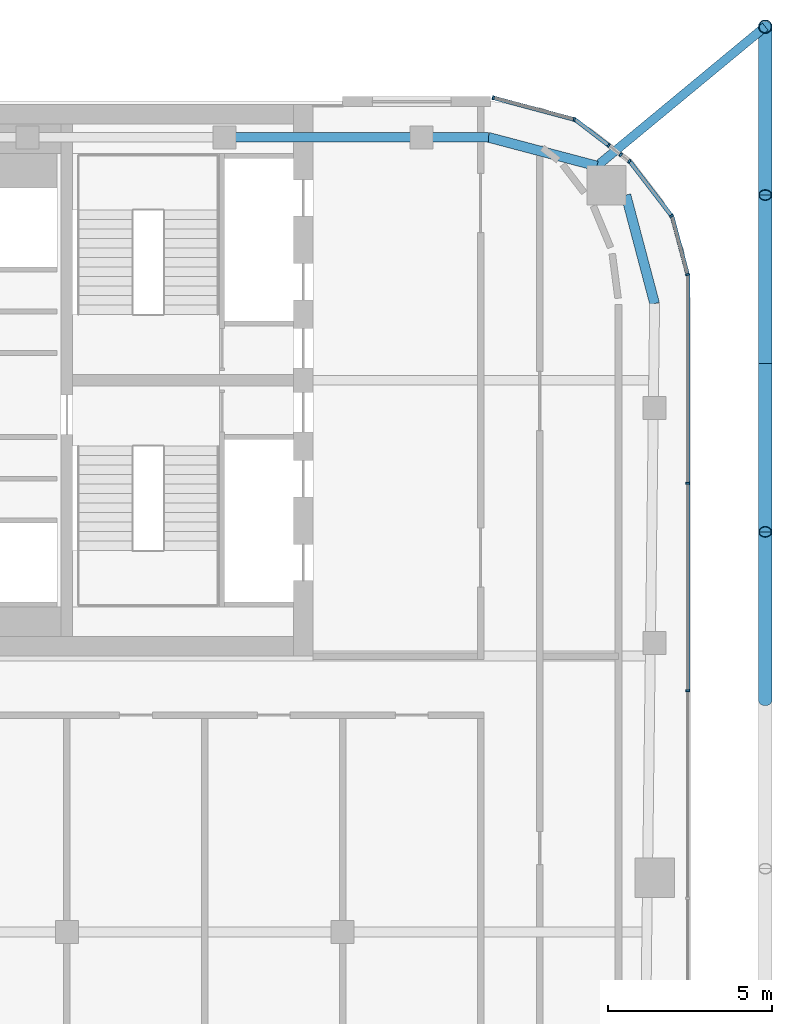
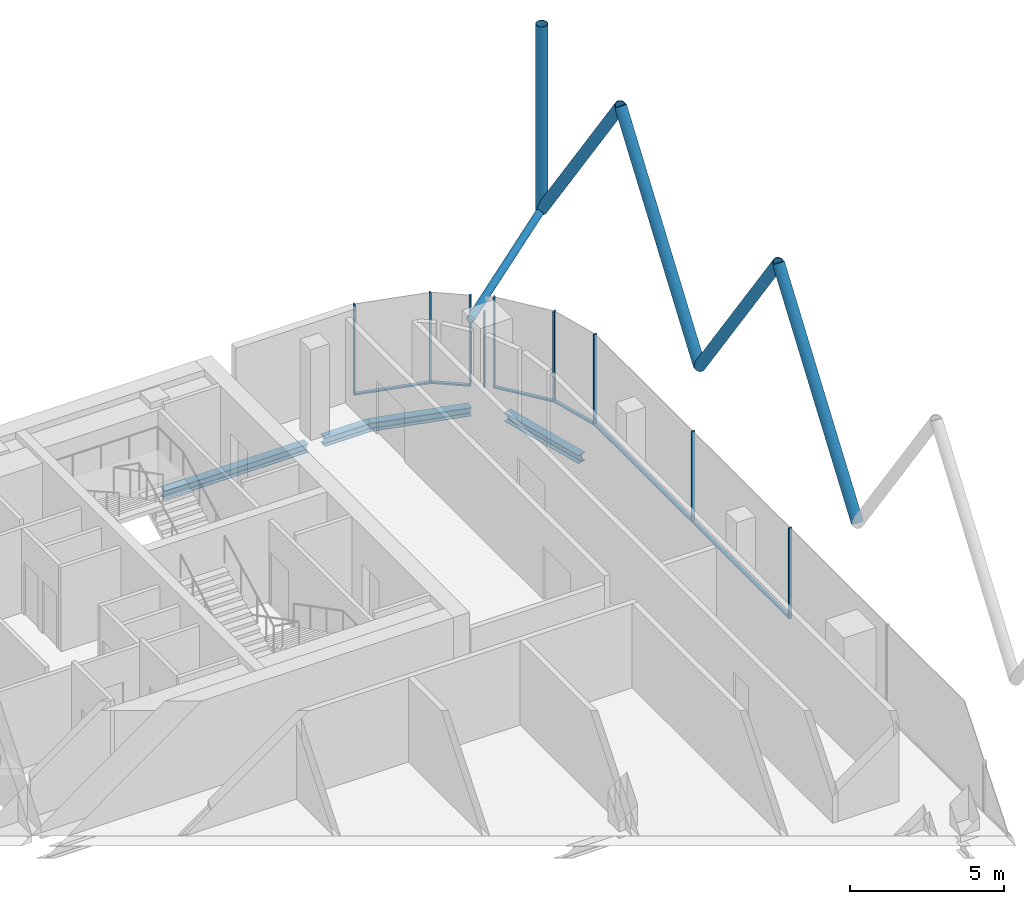
# One storey, part 12 of 27: 21 members, 4 beams, 7 elements without a shape of their own.
"""IFC4 building model written with IfcOpenShell, lengths in metres."""

import ifcopenshell
import ifcopenshell.guid

model = None  # the IFC model being written
_history = None  # IfcOwnerHistory: only IFC2X3 demands one
_inside = {}  # id of a spatial element -> (the spatial element, [elements in it])
_under = {}  # id of a project, library or spatial element -> (it, [spatial elements below it])
_declared = {}  # id of a project -> (the project, [libraries it declares])
_typed = {}  # id of a type object -> (the type object, [elements of that type])
_made_of = {}  # id of a material, layer set ... -> (it, [elements and type objects made of it])


def new_model(schema):
    """Start an empty IFC model of exactly this schema.

    Asked for "IFC4X3", IfcOpenShell would pick the latest addendum, in which some entities
    have other attributes; the version numbers below select the first issue.
    IFC2X3 requires an IfcOwnerHistory on every rooted entity: one is made here for all.
    """
    global model, _history
    if schema == "IFC4X3":
        model = ifcopenshell.file(schema_version=(4, 3, 0, 0))
    else:
        model = ifcopenshell.file(schema=schema)
    _inside.clear()
    _under.clear()
    _declared.clear()
    _typed.clear()
    _made_of.clear()
    _history = None
    if model.schema == "IFC2X3":
        org = make("IfcOrganization", Name="unknown")
        user = make(
            "IfcPersonAndOrganization",
            ThePerson=make("IfcPerson", FamilyName="unknown"),
            TheOrganization=org,
        )
        app = make(
            "IfcApplication",
            ApplicationDeveloper=org,
            Version="unknown",
            ApplicationFullName="unknown",
            ApplicationIdentifier="unknown",
        )
        _history = make(
            "IfcOwnerHistory",
            OwningUser=user,
            OwningApplication=app,
            ChangeAction="ADDED",
            CreationDate=0,
        )
    return model


def make(cls, **values):
    """One entity of the class cls with the attributes given. An attribute that is None is left unset."""
    return model.create_entity(
        cls, **{name: value for name, value in values.items() if value is not None}
    )


def rooted(cls, **values):
    """An entity with a GlobalId (a new one), such as an element, a storey or a relation."""
    return make(cls, GlobalId=ifcopenshell.guid.new(), OwnerHistory=_history, **values)


def si_unit(unit_type, name, prefix=None):
    """IfcSIUnit, for example si_unit("LENGTHUNIT", "METRE", prefix="MILLI")."""
    return make("IfcSIUnit", UnitType=unit_type, Prefix=prefix, Name=name)


def assignment(units):
    """IfcUnitAssignment: the units of a project."""
    return None if units is None else make("IfcUnitAssignment", Units=units)


def point(xyz):
    """IfcCartesianPoint."""
    return None if xyz is None else make("IfcCartesianPoint", Coordinates=xyz)


def direction(xyz):
    """IfcDirection."""
    return None if xyz is None else make("IfcDirection", DirectionRatios=xyz)


def frame(location, z_axis=None, x_axis=None):
    """IfcAxis2Placement3D, a coordinate frame: its origin and axes. An axis left out is left unset."""
    return make(
        "IfcAxis2Placement3D",
        Location=point(location),
        Axis=direction(z_axis),
        RefDirection=direction(x_axis),
    )


def frame_2d(location, x_axis=None):
    """IfcAxis2Placement2D, a coordinate frame in the plane: its origin and x axis."""
    return make(
        "IfcAxis2Placement2D", Location=point(location), RefDirection=direction(x_axis)
    )


def origin():
    """The frame at (0, 0, 0) with its axes left unset."""
    return frame((0.0, 0.0, 0.0))


def origin_2d():
    """The frame at (0, 0) in the plane with its x axis left unset."""
    return frame_2d((0.0, 0.0))


def place(relative_to, where):
    """IfcLocalPlacement: puts the frame where relative to a parent placement (None: the world)."""
    return make(
        "IfcLocalPlacement", PlacementRelTo=relative_to, RelativePlacement=where
    )


def context(
    kind, dimensions, precision=None, world=None, true_north=None, identifier=None
):
    """IfcGeometricRepresentationContext, for example the 3D "Model" context."""
    return make(
        "IfcGeometricRepresentationContext",
        ContextIdentifier=identifier,
        ContextType=kind,
        CoordinateSpaceDimension=dimensions,
        Precision=precision,
        WorldCoordinateSystem=world,
        TrueNorth=true_north,
    )


def subcontext(parent, identifier, kind, view, scale=None):
    """IfcGeometricRepresentationSubContext, for example "Body" below "Model"."""
    return make(
        "IfcGeometricRepresentationSubContext",
        ContextIdentifier=identifier,
        ContextType=kind,
        ParentContext=parent,
        TargetScale=scale,
        TargetView=view,
    )


def project(units=None, contexts=None):
    """IfcProject with its units and contexts."""
    return rooted(
        "IfcProject",
        Name="project",
        RepresentationContexts=contexts,
        UnitsInContext=assignment(units),
    )


def spatial(cls, under=None, at=None, **own):
    """A site, building, storey or space (cls), placed at a placement, below another one or the project."""
    s = rooted(cls, ObjectPlacement=at, **own)
    if under is not None:
        _under.setdefault(under.id(), (under, []))[1].append(s)
    return s


def profile(cls, at=None, kind="AREA", **sizes):
    """A parametric profile (cls). Its sizes go by their IFC names, for example OverallWidth=200.0."""
    return make(cls, ProfileType=kind, Position=at, **sizes)


def rectangle(**sizes):
    """IfcRectangleProfileDef."""
    return profile("IfcRectangleProfileDef", **sizes)


def hollow_circle(**sizes):
    """IfcCircleHollowProfileDef."""
    return profile("IfcCircleHollowProfileDef", **sizes)


def i_section(**sizes):
    """IfcIShapeProfileDef."""
    return profile("IfcIShapeProfileDef", **sizes)


def extrude(swept, where, along, depth):
    """IfcExtrudedAreaSolid: the profile swept, set in the frame where, extruded along a direction by depth."""
    return make(
        "IfcExtrudedAreaSolid",
        SweptArea=swept,
        Position=where,
        ExtrudedDirection=direction(along),
        Depth=depth,
    )


def shape(context_of_items, identifier, shape_type, items):
    """IfcShapeRepresentation: the items that make up one representation, for example the "Body"."""
    return make(
        "IfcShapeRepresentation",
        ContextOfItems=context_of_items,
        RepresentationIdentifier=identifier,
        RepresentationType=shape_type,
        Items=items,
    )


def material(Name=None, Category=None):
    """IfcMaterial."""
    return make("IfcMaterial", Name=Name, Category=Category)


def layer(
    of_material, thickness, ventilated=None, Name=None, Category=None, Priority=None
):
    """IfcMaterialLayer: one layer of a wall or slab, of a material (None: an air gap)."""
    return make(
        "IfcMaterialLayer",
        Material=of_material,
        LayerThickness=thickness,
        IsVentilated=ventilated,
        Name=Name,
        Category=Category,
        Priority=Priority,
    )


def layer_set(layers, Name=None):
    """IfcMaterialLayerSet."""
    return make("IfcMaterialLayerSet", MaterialLayers=layers, LayerSetName=Name)


def material_profile(
    of_material, cross_section, Name=None, Category=None, Priority=None
):
    """IfcMaterialProfile: a cross section and its material."""
    return make(
        "IfcMaterialProfile",
        Name=Name,
        Material=of_material,
        Profile=cross_section,
        Priority=Priority,
        Category=Category,
    )


def profile_set(profiles, Name=None, composite=None):
    """IfcMaterialProfileSet."""
    return make(
        "IfcMaterialProfileSet",
        Name=Name,
        MaterialProfiles=profiles,
        CompositeProfile=composite,
    )


def made_of(thing, what):
    """Note that an element or type object is made of a material, layer set ...; save() writes the relation."""
    if what is not None:
        _made_of.setdefault(what.id(), (what, []))[1].append(thing)
    return thing


def type_object(cls, material=None, **own):
    """A type object (cls), such as IfcWallType, which elements share."""
    return made_of(rooted(cls, **own), material)


def element(
    cls,
    number,
    at=None,
    inside=None,
    cuts=None,
    type_object=None,
    material=None,
    context=None,
    identifier="Body",
    shape_type=None,
    held_by="IfcProductDefinitionShape",
    body=None,
    shapes=None,
    **own,
):
    """One element of the class cls, such as IfcWall. Its Tag is "e" and its number.

    at: its placement. inside: the storey or other place that contains it. cuts: it is an
    opening in that element (IfcRelVoidsElement). A single representation is given by context,
    identifier, shape_type and body (its items); several are given by shapes. held_by: the class
    of the entity that holds the representations. save() writes the other relations.
    """
    e = rooted(cls, Tag="e%d" % number, ObjectPlacement=at, **own)
    if body is not None:
        shapes = [shape(context, identifier, shape_type, body)]
    if shapes is not None:
        e.Representation = make(held_by, Representations=shapes)
    if inside is not None:
        _inside.setdefault(inside.id(), (inside, []))[1].append(e)
    if cuts is not None:
        rooted(
            "IfcRelVoidsElement", RelatingBuildingElement=cuts, RelatedOpeningElement=e
        )
    if type_object is not None:
        _typed.setdefault(type_object.id(), (type_object, []))[1].append(e)
    return made_of(e, material)


def aggregate(whole, parts):
    """IfcRelAggregates: a whole, such as a stair, and the parts it consists of."""
    return rooted("IfcRelAggregates", RelatingObject=whole, RelatedObjects=parts)


def save(model, path):
    """Write the relations noted so far, then the file.

    IfcRelAggregates (storeys below a building ...), IfcRelContainedInSpatialStructure (elements
    in a storey), IfcRelDefinesByType, IfcRelAssociatesMaterial and IfcRelDeclares: one each for
    every whole, place, type object, material and project.
    """
    for whole, parts in _under.values():
        aggregate(whole, parts)
    for where, things in _inside.values():
        rooted(
            "IfcRelContainedInSpatialStructure",
            RelatedElements=things,
            RelatingStructure=where,
        )
    for kind, things in _typed.values():
        rooted("IfcRelDefinesByType", RelatedObjects=things, RelatingType=kind)
    for what, things in _made_of.values():
        rooted("IfcRelAssociatesMaterial", RelatedObjects=things, RelatingMaterial=what)
    for by, libraries in _declared.values():
        rooted("IfcRelDeclares", RelatingContext=by, RelatedDefinitions=libraries)
    model.write(path)


model = new_model("IFC4")

# Units and contexts
model_context = context("Model", 3, precision=1e-05, world=origin(), true_north=direction((0.0, 1.0)))
body_context = subcontext(model_context, "Body", "Model", "MODEL_VIEW")
ifc_project = project(units=[si_unit("LENGTHUNIT", "METRE"), si_unit("AREAUNIT", "SQUARE_METRE"), si_unit("VOLUMEUNIT", "CUBIC_METRE"), si_unit("PLANEANGLEUNIT", "RADIAN"), si_unit("MASSUNIT", "GRAM", prefix="KILO")], contexts=[model_context])

# Site, building, storey
site_placement = place(None, origin())
site = spatial("IfcSite", under=ifc_project, at=site_placement, CompositionType="ELEMENT")
building_placement = place(site_placement, origin())
building = spatial("IfcBuilding", under=site, at=building_placement, Name="Marenta Gate Hotel Tower", CompositionType="ELEMENT")
storey_placement = place(building_placement, frame((0.0, 0.0, 270.5)))
storey = spatial("IfcBuildingStorey", under=building, at=storey_placement, Name="L62", CompositionType="ELEMENT", Elevation=270.5)

# Members
ifc_material_1 = material(Name="Steel S355J2W", Category="steel")
ifc_material_profile_1 = material_profile(ifc_material_1, hollow_circle(Radius=0.203125, WallThickness=0.01611328125, at=origin_2d()), Name="CHS 406.4x16")
ifc_profile_set_1 = profile_set([ifc_material_profile_1], Name="Steel S355J2W")
member_type_1 = type_object("IfcMemberType", Name="Diagrid corner post Z4 CHS 406.4x16", PredefinedType="POST", material=ifc_profile_set_1)
member_1_placement = place(storey_placement, frame((25.469970703125, 19.169921875, 3.139892578125), z_axis=(0.0, 0.0, 1.0), x_axis=(1.0, 0.0, 0.0)))
element("IfcMember", 1, at=member_1_placement, inside=storey, type_object=member_type_1, Name="L62-DR-1", PredefinedType="POST", context=body_context, shape_type="SweptSolid", body=[
    extrude(hollow_circle(Radius=0.203125, WallThickness=0.01611328125, at=origin_2d()), origin(), (0.0, 0.0, 1.0), 7.360107421875),
])
ifc_material_2 = material(Name="Steel S355J2W", Category="steel")
ifc_material_profile_2 = material_profile(ifc_material_2, hollow_circle(Radius=0.203125, WallThickness=0.02490234375, at=origin_2d()), Name="CHS 406.4x25")
ifc_profile_set_2 = profile_set([ifc_material_profile_2], Name="Steel S355J2W")
member_type_2 = type_object("IfcMemberType", Name="Diagrid diagonal Z4 CHS 406.4x25", PredefinedType="BRACE", material=ifc_profile_set_2)
for number, where, z_axis, x_axis, name in (
    (2, (25.469970703125, 19.169921875, 3.139892578125), (0.0, -0.580200600178, 0.81447361133), (1.0, 0.0, 0.0), "L62-DG-1"),
    (3, (25.469970703125, 8.911376953125, 3.139892578125), (0.0, 0.580218919795, 0.814460560808), (-1.0, 0.0, 0.0), "L62-DG-2"),
    (4, (25.469970703125, 8.911376953125, 3.139892578125), (0.0, -0.580218919795, 0.814460560808), (1.0, 0.0, 0.0), "L62-DG-3"),
    (5, (25.469970703125, -1.347412109375, 3.139892578125), (0.0, 0.580218919795, 0.814460560808), (-1.0, 0.0, 0.0), "L62-DG-4"),
):
    element("IfcMember", number, at=place(storey_placement, frame(where, z_axis=z_axis, x_axis=x_axis)), inside=storey, type_object=member_type_2, Name=name, PredefinedType="BRACE", context=body_context, shape_type="SweptSolid", body=[
        extrude(hollow_circle(Radius=0.203125, WallThickness=0.02490234375, at=origin_2d()), origin(), (0.0, 0.0, 1.0), 8.84033203125),
    ])

# Beams
ifc_material_3 = material(Name="Steel S355", Category="steel")
ifc_material_profile_3 = material_profile(ifc_material_3, i_section(OverallWidth=0.300048828125, OverallDepth=0.340087890625, WebThickness=0.011962890625, FlangeThickness=0.021484375, FilletRadius=0.027099609375, at=origin_2d()), Name="HEB 340")
ifc_profile_set_3 = profile_set([ifc_material_profile_3], Name="Steel S355")
beam_type = type_object("IfcBeamType", Name="Edge beam HEB 340", PredefinedType="SPANDREL", material=ifc_profile_set_3)
beam_1_placement = place(storey_placement, frame((9.314208984375, 15.800048828125, -0.429931640625), z_axis=(1.0, 0.0, 0.0), x_axis=(0.0, 1.0, 0.0)))
element("IfcBeam", 6, at=beam_1_placement, inside=storey, type_object=beam_type, Name="L62-EB-18", PredefinedType="SPANDREL", context=body_context, shape_type="SweptSolid", body=[
    extrude(i_section(OverallWidth=0.300048828125, OverallDepth=0.340087890625, WebThickness=0.011962890625, FlangeThickness=0.021484375, FilletRadius=0.027099609375, at=origin_2d()), origin(), (0.0, 0.0, 1.0), 5.3828125),
])
beam_2_placement = place(storey_placement, frame((15.31689453125, 15.800048828125, -0.429931640625), z_axis=(1.0, 0.0, 0.0), x_axis=(0.0, 1.0, 0.0)))
element("IfcBeam", 7, at=beam_2_placement, inside=storey, type_object=beam_type, Name="L62-EB-19", PredefinedType="SPANDREL", context=body_context, shape_type="SweptSolid", body=[
    extrude(i_section(OverallWidth=0.300048828125, OverallDepth=0.340087890625, WebThickness=0.011962890625, FlangeThickness=0.021484375, FilletRadius=0.027099609375, at=origin_2d()), origin(), (0.0, 0.0, 1.0), 1.717529296875),
])
for number, where, z_axis, x_axis, name in (
    (8, (17.034423828125, 15.800048828125, -0.429931640625), (0.966766977759, -0.255659169039, 0.0), (0.255659169039, 0.966766977759, 0.0), "L62-EB-20"),
    (9, (21.225341796875, 14.042236328125, -0.429931640625), (0.255659169039, -0.966766977759, 0.0), (0.966766977759, 0.255659169039, 0.0), "L62-EB-21"),
):
    element("IfcBeam", number, at=place(storey_placement, frame(where, z_axis=z_axis, x_axis=x_axis)), inside=storey, type_object=beam_type, Name=name, PredefinedType="SPANDREL", context=body_context, shape_type="SweptSolid", body=[
        extrude(i_section(OverallWidth=0.300048828125, OverallDepth=0.340087890625, WebThickness=0.011962890625, FlangeThickness=0.021484375, FilletRadius=0.027099609375, at=origin_2d()), origin(), (0.0, 0.0, 1.0), 3.421630859375),
    ])

# Member
ifc_material_4 = material(Name="Steel S355J2W", Category="steel")
ifc_material_profile_4 = material_profile(ifc_material_4, hollow_circle(Radius=0.136474609375, WallThickness=0.012451171875, at=origin_2d()), Name="CHS 273x12.5")
ifc_profile_set_4 = profile_set([ifc_material_profile_4], Name="Steel S355J2W")
member_type_3 = type_object("IfcMemberType", Name="Floor tie CHS 273x12.5", PredefinedType="STRUT", material=ifc_profile_set_4)
member_2_placement = place(storey_placement, frame((25.469970703125, 19.169921875, 3.139892578125), z_axis=(-0.77031782447, -0.637660136204, 0.0), x_axis=(0.637660136204, -0.77031782447, 0.0)))
element("IfcMember", 10, at=member_2_placement, inside=storey, type_object=member_type_3, Name="L62-DR-7", PredefinedType="STRUT", context=body_context, shape_type="SweptSolid", body=[
    extrude(hollow_circle(Radius=0.136474609375, WallThickness=0.012451171875, at=origin_2d()), origin(), (0.0, 0.0, 1.0), 6.6494140625),
])

# Curtain wall, members
ifc_material_5 = material(Name="Tinted insulated glass in bronze anodised frame", Category="glass")
ifc_layer = layer(ifc_material_5, 0.1201171875)
ifc_layer_set = layer_set([ifc_layer], Name="Tinted insulated glass in bronze anodised frame")
curtain_wall_type = type_object("IfcCurtainWallType", Name="Tower unitised curtain wall CW1", PredefinedType="NOTDEFINED", material=ifc_layer_set)
curtain_wall_1_placement = place(storey_placement, origin())
curtain_wall_1 = element("IfcCurtainWall", 11, at=curtain_wall_1_placement, inside=storey, type_object=curtain_wall_type, Name="CW1 run G17", PredefinedType="NOTDEFINED")
ifc_material_6 = material(Name="Bronze anodised aluminium", Category="aluminium")
ifc_material_profile_5 = material_profile(ifc_material_6, rectangle(XDim=0.1201171875, YDim=0.06005859375, at=origin_2d()), Name="Mullion CW1 60x120 bronze anodised aluminium")
ifc_profile_set_5 = profile_set([ifc_material_profile_5], Name="Bronze anodised aluminium")
member_type_4 = type_object("IfcMemberType", Name="Mullion CW1 60x120 bronze anodised aluminium", PredefinedType="MULLION", material=ifc_profile_set_5)
member_3_placement = place(storey_placement, frame((23.114013671875, -1.053466796875, 0.0), z_axis=(0.0, 0.0, 1.0), x_axis=(-1.0, 0.0, 0.0)))
member_3 = element("IfcMember", 12, at=member_3_placement, type_object=member_type_4, Name="CW1 mullion 5", PredefinedType="MULLION", context=body_context, shape_type="SweptSolid", body=[
    extrude(rectangle(XDim=0.1201171875, YDim=0.06005859375, at=origin_2d()), origin(), (0.0, 0.0, 1.0), 3.60009765625),
])
member_4_placement = place(storey_placement, frame((23.114013671875, 5.269287109375, 0.0), z_axis=(0.0, 0.0, 1.0), x_axis=(-1.0, 0.0, 0.0)))
member_4 = element("IfcMember", 13, at=member_4_placement, type_object=member_type_4, Name="CW1 mullion 6", PredefinedType="MULLION", context=body_context, shape_type="SweptSolid", body=[
    extrude(rectangle(XDim=0.1201171875, YDim=0.06005859375, at=origin_2d()), origin(), (0.0, 0.0, 1.0), 3.60009765625),
])

# Curtain wall, member
curtain_wall_2_placement = place(storey_placement, origin())
curtain_wall_2 = element("IfcCurtainWall", 14, at=curtain_wall_2_placement, inside=storey, type_object=curtain_wall_type, Name="CW1 run G18", PredefinedType="NOTDEFINED")
member_5_placement = place(storey_placement, frame((23.106201171875, 11.620849609375, 0.0), z_axis=(0.0, 0.0, 1.0), x_axis=(-0.965924453932, -0.258824166754, 0.0)))
member_5 = element("IfcMember", 15, at=member_5_placement, type_object=member_type_4, Name="CW1 mullion 1", PredefinedType="MULLION", context=body_context, shape_type="SweptSolid", body=[
    extrude(rectangle(XDim=0.1201171875, YDim=0.06005859375, at=origin_2d()), origin(), (0.0, 0.0, 1.0), 3.60009765625),
])

curtain_wall_3_placement = place(storey_placement, origin())
curtain_wall_3 = element("IfcCurtainWall", 16, at=curtain_wall_3_placement, inside=storey, type_object=curtain_wall_type, Name="CW1 run G19", PredefinedType="NOTDEFINED")
member_6_placement = place(storey_placement, frame((22.615966796875, 13.40625, 0.0), z_axis=(0.0, 0.0, 1.0), x_axis=(-0.793333335233, -0.608787499222, 0.0)))
member_6 = element("IfcMember", 17, at=member_6_placement, type_object=member_type_4, Name="CW1 mullion 1", PredefinedType="MULLION", context=body_context, shape_type="SweptSolid", body=[
    extrude(rectangle(XDim=0.1201171875, YDim=0.06005859375, at=origin_2d()), origin(), (0.0, 0.0, 1.0), 3.60009765625),
])

curtain_wall_4_placement = place(storey_placement, origin())
curtain_wall_4 = element("IfcCurtainWall", 18, at=curtain_wall_4_placement, inside=storey, type_object=curtain_wall_type, Name="CW1 run G20", PredefinedType="NOTDEFINED")
member_7_placement = place(storey_placement, frame((21.328857421875, 15.07080078125, 0.0), z_axis=(0.0, 0.0, 1.0), x_axis=(-0.608649178675, -0.793439460386, 0.0)))
member_7 = element("IfcMember", 19, at=member_7_placement, type_object=member_type_4, Name="CW1 mullion 1", PredefinedType="MULLION", context=body_context, shape_type="SweptSolid", body=[
    extrude(rectangle(XDim=0.1201171875, YDim=0.06005859375, at=origin_2d()), origin(), (0.0, 0.0, 1.0), 3.60009765625),
])
aggregate(curtain_wall_4, [member_7])

curtain_wall_5_placement = place(storey_placement, origin())
curtain_wall_5 = element("IfcCurtainWall", 20, at=curtain_wall_5_placement, inside=storey, type_object=curtain_wall_type, Name="CW1 run G21", PredefinedType="NOTDEFINED")
member_8_placement = place(storey_placement, frame((21.068603515625, 15.2705078125, 0.0), z_axis=(0.0, 0.0, 1.0), x_axis=(-0.608847133535, -0.79328756954, 0.0)))
member_8 = element("IfcMember", 21, at=member_8_placement, type_object=member_type_4, Name="CW1 mullion 1", PredefinedType="MULLION", context=body_context, shape_type="SweptSolid", body=[
    extrude(rectangle(XDim=0.1201171875, YDim=0.06005859375, at=origin_2d()), origin(), (0.0, 0.0, 1.0), 3.00048828125),
])
aggregate(curtain_wall_5, [member_8])

curtain_wall_6_placement = place(storey_placement, origin())
curtain_wall_6 = element("IfcCurtainWall", 22, at=curtain_wall_6_placement, inside=storey, type_object=curtain_wall_type, Name="CW1 run G22", PredefinedType="NOTDEFINED")
member_9_placement = place(storey_placement, frame((20.699951171875, 15.553466796875, 0.0), z_axis=(0.0, 0.0, 1.0), x_axis=(-0.608800944328, -0.793323017557, 0.0)))
member_9 = element("IfcMember", 23, at=member_9_placement, type_object=member_type_4, Name="CW1 mullion 1", PredefinedType="MULLION", context=body_context, shape_type="SweptSolid", body=[
    extrude(rectangle(XDim=0.1201171875, YDim=0.06005859375, at=origin_2d()), origin(), (0.0, 0.0, 1.0), 3.60009765625),
])

# Curtain wall, members
curtain_wall_7_placement = place(storey_placement, origin())
curtain_wall_7 = element("IfcCurtainWall", 24, at=curtain_wall_7_placement, inside=storey, type_object=curtain_wall_type, Name="CW1 run G23", PredefinedType="NOTDEFINED")
member_10_placement = place(storey_placement, frame((19.653564453125, 16.342041015625, 0.0), z_axis=(0.0, 0.0, 1.0), x_axis=(-0.258804895175, -0.96592961764, 0.0)))
member_10 = element("IfcMember", 25, at=member_10_placement, type_object=member_type_4, Name="CW1 mullion 1", PredefinedType="MULLION", context=body_context, shape_type="SweptSolid", body=[
    extrude(rectangle(XDim=0.1201171875, YDim=0.06005859375, at=origin_2d()), origin(), (0.0, 0.0, 1.0), 3.60009765625),
])
member_11_placement = place(storey_placement, frame((17.185546875, 17.003173828125, 0.0), z_axis=(0.0, 0.0, 1.0), x_axis=(-0.258804895175, -0.96592961764, 0.0)))
member_11 = element("IfcMember", 26, at=member_11_placement, type_object=member_type_4, Name="CW1 mullion 2", PredefinedType="MULLION", context=body_context, shape_type="SweptSolid", body=[
    extrude(rectangle(XDim=0.1201171875, YDim=0.06005859375, at=origin_2d()), origin(), (0.0, 0.0, 1.0), 3.60009765625),
])

# Member
ifc_material_7 = material(Name="Bronze anodised aluminium", Category="aluminium")
ifc_material_profile_6 = material_profile(ifc_material_7, rectangle(XDim=0.1201171875, YDim=0.06005859375, at=origin_2d()), Name="Transom CW1 60x120 bronze anodised aluminium")
ifc_profile_set_6 = profile_set([ifc_material_profile_6], Name="Bronze anodised aluminium")
member_type_5 = type_object("IfcMemberType", Name="Transom CW1 60x120 bronze anodised aluminium", PredefinedType="USERDEFINED", material=ifc_profile_set_6)
member_12_placement = place(storey_placement, frame((23.114013671875, -1.0234375, 0.030029296875), z_axis=(0.0, 1.0, 0.0), x_axis=(-1.0, 0.0, 0.0)))
member_12 = element("IfcMember", 27, at=member_12_placement, type_object=member_type_5, Name="CW1 transom 5.1", ObjectType="TRANSOM", PredefinedType="USERDEFINED", context=body_context, shape_type="SweptSolid", body=[
    extrude(rectangle(XDim=0.1201171875, YDim=0.06005859375, at=origin_2d()), origin(), (0.0, 0.0, 1.0), 6.2626953125),
])

member_13_placement = place(storey_placement, frame((23.114013671875, 5.29931640625, 0.030029296875), z_axis=(0.0, 1.0, 0.0), x_axis=(-1.0, 0.0, 0.0)))
member_13 = element("IfcMember", 28, at=member_13_placement, type_object=member_type_5, Name="CW1 transom 6.1", ObjectType="TRANSOM", PredefinedType="USERDEFINED", context=body_context, shape_type="SweptSolid", body=[
    extrude(rectangle(XDim=0.1201171875, YDim=0.06005859375, at=origin_2d()), origin(), (0.0, 0.0, 1.0), 6.29248046875),
])

aggregate(curtain_wall_1, [member_3, member_4, member_12, member_13])

member_14_placement = place(storey_placement, frame((23.098388671875, 11.64990234375, 0.030029296875), z_axis=(-0.258738352989, 0.965947444063, 0.0), x_axis=(-0.965947444063, -0.258738352989, 0.0)))
member_14 = element("IfcMember", 29, at=member_14_placement, type_object=member_type_5, Name="CW1 transom 1.1", ObjectType="TRANSOM", PredefinedType="USERDEFINED", context=body_context, shape_type="SweptSolid", body=[
    extrude(rectangle(XDim=0.1201171875, YDim=0.06005859375, at=origin_2d()), origin(), (0.0, 0.0, 1.0), 1.793701171875),
])

aggregate(curtain_wall_2, [member_5, member_14])

member_15_placement = place(storey_placement, frame((22.59765625, 13.43017578125, 0.030029296875), z_axis=(-0.608844993447, 0.79328921205, 0.0), x_axis=(-0.79328921205, -0.608844993447, 0.0)))
member_15 = element("IfcMember", 30, at=member_15_placement, type_object=member_type_5, Name="CW1 transom 1.1", ObjectType="TRANSOM", PredefinedType="USERDEFINED", context=body_context, shape_type="SweptSolid", body=[
    extrude(rectangle(XDim=0.1201171875, YDim=0.06005859375, at=origin_2d()), origin(), (0.0, 0.0, 1.0), 2.045166015625),
])

aggregate(curtain_wall_3, [member_6, member_15])

member_16_placement = place(storey_placement, frame((20.67626953125, 15.571533203125, 0.030029296875), z_axis=(-0.793261161375, 0.608881540083, 0.0), x_axis=(-0.608881540083, -0.793261161375, 0.0)))
member_16 = element("IfcMember", 31, at=member_16_placement, type_object=member_type_5, Name="CW1 transom 1.1", ObjectType="TRANSOM", PredefinedType="USERDEFINED", context=body_context, shape_type="SweptSolid", body=[
    extrude(rectangle(XDim=0.1201171875, YDim=0.06005859375, at=origin_2d()), origin(), (0.0, 0.0, 1.0), 1.252685546875),
])

aggregate(curtain_wall_6, [member_9, member_16])

member_17_placement = place(storey_placement, frame((19.62451171875, 16.349609375, 0.030029296875), z_axis=(-0.965930582093, 0.258801295547, 0.0), x_axis=(-0.258801295547, -0.965930582093, 0.0)))
member_17 = element("IfcMember", 32, at=member_17_placement, type_object=member_type_5, Name="CW1 transom 1.1", ObjectType="TRANSOM", PredefinedType="USERDEFINED", context=body_context, shape_type="SweptSolid", body=[
    extrude(rectangle(XDim=0.1201171875, YDim=0.06005859375, at=origin_2d()), origin(), (0.0, 0.0, 1.0), 2.4951171875),
])

aggregate(curtain_wall_7, [member_10, member_11, member_17])

save(model, "model.ifc")
